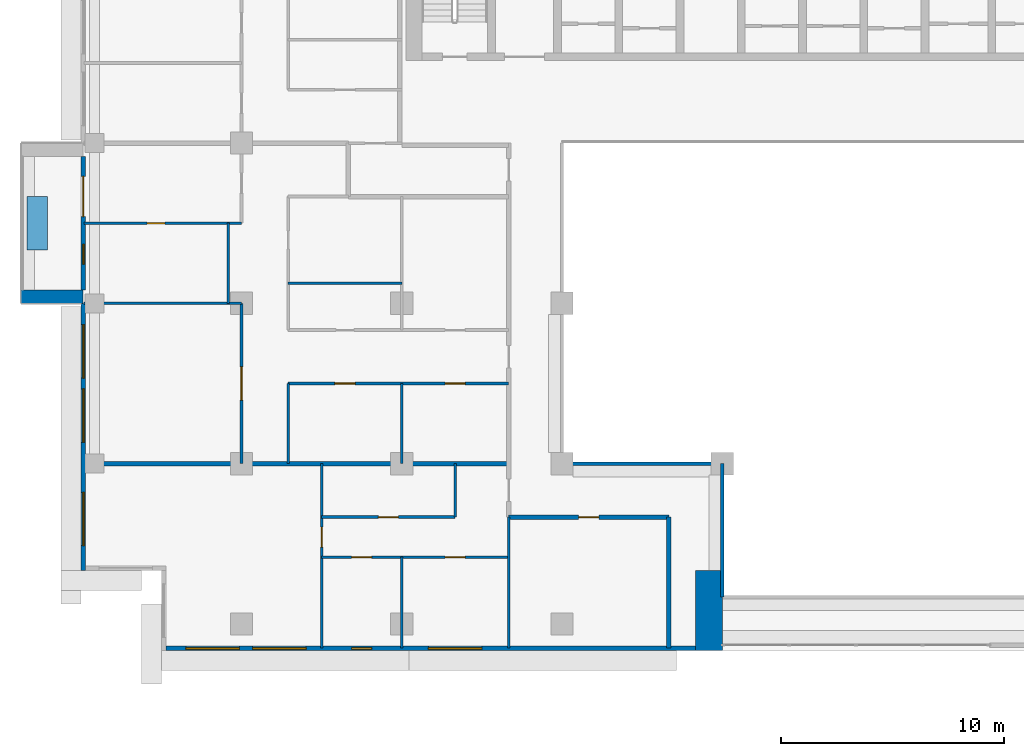
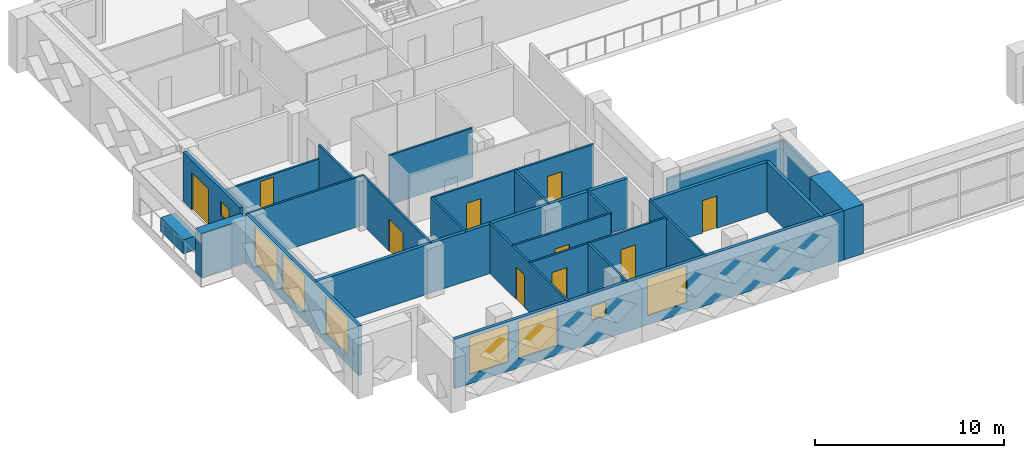
# One storey, part 6 of 20: 25 walls, 10 doors, 8 windows, 18 openings.
"""IFC4 building model written with IfcOpenShell, lengths in metres."""

from ifc_helpers import new_model, si_unit, direction, frame, frame_2d, origin, place, context, subcontext, project, spatial, rectangle, extrude, material, layer, layer_set, type_object, element, fill, save


model = new_model("IFC4")

# Units and contexts
model_context = context("Model", 3, precision=1e-05, world=origin(), true_north=direction((0.0, 1.0)))
body_context = subcontext(model_context, "Body", "Model", "MODEL_VIEW")
ifc_project = project(units=[si_unit("LENGTHUNIT", "METRE"), si_unit("AREAUNIT", "SQUARE_METRE"), si_unit("VOLUMEUNIT", "CUBIC_METRE"), si_unit("PLANEANGLEUNIT", "RADIAN"), si_unit("MASSUNIT", "GRAM", prefix="KILO")], contexts=[model_context])

# Site, building, storey
site_placement = place(None, origin())
site = spatial("IfcSite", under=ifc_project, at=site_placement, CompositionType="ELEMENT")
building_placement = place(site_placement, origin())
building = spatial("IfcBuilding", under=site, at=building_placement, Name="Saffron Iwan Residences", CompositionType="ELEMENT")
storey_placement = place(building_placement, frame((0.0, 0.0, 143.0)))
storey = spatial("IfcBuildingStorey", under=building, at=storey_placement, Name="L37", CompositionType="ELEMENT", Elevation=143.0)

# Walls
ifc_material_1 = material(Name="Fire-rated glazing", Category="glass")
ifc_layer_1 = layer(ifc_material_1, 0.14990234375)
ifc_layer_set_1 = layer_set([ifc_layer_1], Name="Fire-rated glazing")
wall_type_1 = type_object("IfcWallType", Name="Atrium glazed screen 150", PredefinedType="SOLIDWALL", material=ifc_layer_set_1)
wall_1_placement = place(storey_placement, frame((36.0, 48.0, 0.0), z_axis=(0.0, 0.0, 1.0), x_axis=(1.0, 0.0, 0.0)))
element("IfcWall", 1, at=wall_1_placement, inside=storey, type_object=wall_type_1, Name="W-L37-SCREEN-h48-36", PredefinedType="SOLIDWALL", context=body_context, shape_type="SweptSolid", body=[
    extrude(rectangle(XDim=7.199951171875, YDim=0.14990234375, at=frame_2d((3.60009765625, 0.0))), origin(), (0.0, 0.0, 1.0), 2.300048828125),
])
wall_2_placement = place(storey_placement, frame((43.199951171875, 42.0, 0.0), z_axis=(0.0, 0.0, 1.0), x_axis=(0.0, 1.0, 0.0)))
element("IfcWall", 2, at=wall_2_placement, inside=storey, type_object=wall_type_1, Name="W-L37-SCREEN-v43.2-42", PredefinedType="SOLIDWALL", context=body_context, shape_type="SweptSolid", body=[
    extrude(rectangle(XDim=6.0, YDim=0.14990234375, at=frame_2d((3.0, 0.0))), origin(), (0.0, 0.0, 1.0), 2.300048828125),
])
ifc_material_2 = material(Name="Concrete C50/60 white painted", Category="concrete")
ifc_layer_2 = layer(ifc_material_2, 0.60009765625)
ifc_layer_set_2 = layer_set([ifc_layer_2], Name="Concrete C50/60 white painted")
wall_type_2 = type_object("IfcWallType", Name="BALCONY FIN 600", PredefinedType="SOLIDWALL", material=ifc_layer_set_2)
wall_3_placement = place(storey_placement, frame((14.47509765625, 55.5, 0.0), z_axis=(0.0, 0.0, 1.0), x_axis=(-1.0, 0.0, 0.0)))
element("IfcWall", 3, at=wall_3_placement, inside=storey, type_object=wall_type_2, Name="Balcony fin L37 F8-0b", PredefinedType="SOLIDWALL", context=body_context, shape_type="SweptSolid", body=[
    extrude(rectangle(XDim=2.775146484375, YDim=0.60009765625, at=frame_2d((1.3876953125, 0.0))), origin(), (0.0, 0.0, 1.0), 2.85009765625),
])
ifc_material_3 = material(Name="Concrete C35/45 white painted", Category="concrete")
ifc_layer_3 = layer(ifc_material_3, 0.14990234375)
ifc_layer_set_3 = layer_set([ifc_layer_3], Name="Concrete C35/45 white painted")
wall_type_3 = type_object("IfcWallType", Name="BALCONY PLANTER", PredefinedType="SOLIDWALL", material=ifc_layer_set_3)
wall_4_placement = place(storey_placement, frame((12.425048828125, 60.0, 0.0), z_axis=(0.0, 0.0, 1.0), x_axis=(0.0, -1.0, 0.0)))
element("IfcWall", 4, at=wall_4_placement, inside=storey, type_object=wall_type_3, Name="PLANTER L37 F8-0", PredefinedType="SOLIDWALL", context=body_context, shape_type="SweptSolid", body=[
    extrude(rectangle(XDim=2.39990234375, YDim=0.89990234375, at=frame_2d((1.199951171875, 0.0))), origin(), (0.0, 0.0, 1.0), 0.89990234375),
])

# Wall, openings, door, window
ifc_material_4 = material(Name="Concrete C40/50", Category="concrete")
ifc_layer_4 = layer(ifc_material_4, 0.199951171875)
ifc_layer_set_4 = layer_set([ifc_layer_4], Name="Concrete C40/50")
wall_type_4 = type_object("IfcWallType", Name="EXTERNAL WALL 200", PredefinedType="SOLIDWALL", material=ifc_layer_set_4)
wall_5_placement = place(storey_placement, frame((14.5, 61.800048828125, 0.0), z_axis=(0.0, 0.0, 1.0), x_axis=(0.0, -1.0, 0.0)))
wall_5 = element("IfcWall", 5, at=wall_5_placement, inside=storey, type_object=wall_type_4, Name="External wall L37 F8.1", PredefinedType="SOLIDWALL", context=body_context, shape_type="SweptSolid", body=[
    extrude(rectangle(XDim=6.0, YDim=0.199951171875, at=frame_2d((3.0, 0.0))), origin(), (0.0, 0.0, 1.0), 3.199951171875),
])
opening_1_placement = place(wall_5_placement, frame((0.89990234375, 0.0, 0.0)))
opening_1 = element("IfcOpeningElement", 6, at=opening_1_placement, cuts=wall_5, Name="Opening BD1", PredefinedType="OPENING", context=body_context, shape_type="SweptSolid", body=[
    extrude(rectangle(XDim=1.800048828125, YDim=2.39990234375, at=frame_2d((0.89990234375, 1.199951171875))), frame((0.0, 0.10986328125, 0.0), z_axis=(0.0, -1.0, 0.0), x_axis=(1.0, 0.0, 0.0)), (0.0, 0.0, 1.0), 0.219970703125),
])
opening_2_placement = place(wall_5_placement, frame((3.949951171875, 0.0, 1.5)))
opening_2 = element("IfcOpeningElement", 7, at=opening_2_placement, cuts=wall_5, Name="Opening W6", PredefinedType="OPENING", context=body_context, shape_type="SweptSolid", body=[
    extrude(rectangle(XDim=0.89990234375, YDim=0.89990234375, at=frame_2d((0.449951171875, 0.449951171875))), frame((0.0, 0.10986328125, 0.0), z_axis=(0.0, -1.0, 0.0), x_axis=(1.0, 0.0, 0.0)), (0.0, 0.0, 1.0), 0.219970703125),
])
ifc_material_5 = material(Name="Clear glass, laminated double glazed", Category="glass")
door_type_1 = type_object("IfcDoorType", Name="BALCONY DOOR 1800 x 2400", OperationType="DOUBLE_DOOR_SLIDING", PredefinedType="DOOR", material=ifc_material_5)
door_1_placement = place(opening_1_placement, origin())
door_1 = element("IfcDoor", 8, at=door_1_placement, inside=storey, type_object=door_type_1, Name="Balcony door L37 F8.0", OperationType="DOUBLE_DOOR_SLIDING", OverallHeight=2.39990234375, OverallWidth=1.800048828125, PredefinedType="DOOR", context=body_context, shape_type="SweptSolid", body=[
    extrude(rectangle(XDim=1.800048828125, YDim=2.39990234375, at=frame_2d((0.89990234375, 1.199951171875))), frame((0.0, 0.02490234375, 0.0), z_axis=(0.0, -1.0, 0.0), x_axis=(1.0, 0.0, 0.0)), (0.0, 0.0, 1.0), 0.050048828125),
])
fill(opening_1, door_1)
window_type_1 = type_object("IfcWindowType", Name="WINDOW 900 x 900 BATH", PartitioningType="SINGLE_PANEL", PredefinedType="WINDOW", material=ifc_material_5)
window_1_placement = place(opening_2_placement, origin())
window_1 = element("IfcWindow", 9, at=window_1_placement, inside=storey, type_object=window_type_1, Name="Window L37 F8.1", OverallHeight=0.89990234375, OverallWidth=0.89990234375, PartitioningType="SINGLE_PANEL", PredefinedType="WINDOW", context=body_context, shape_type="SweptSolid", body=[
    extrude(rectangle(XDim=0.89990234375, YDim=0.89990234375, at=frame_2d((0.449951171875, 0.449951171875))), frame((0.0, 0.030029296875, 0.0), z_axis=(0.0, -1.0, 0.0), x_axis=(1.0, 0.0, 0.0)), (0.0, 0.0, 1.0), 0.06005859375),
])
fill(opening_2, window_1)

# Wall, openings, windows
wall_6_placement = place(storey_placement, frame((14.5, 55.199951171875, 0.0), z_axis=(0.0, 0.0, 1.0), x_axis=(0.0, -1.0, 0.0)))
wall_6 = element("IfcWall", 10, at=wall_6_placement, inside=storey, type_object=wall_type_4, Name="External wall L37 F8.2", PredefinedType="SOLIDWALL", context=body_context, shape_type="SweptSolid", body=[
    extrude(rectangle(XDim=12.0, YDim=0.199951171875, at=frame_2d((6.0, 0.0))), origin(), (0.0, 0.0, 1.0), 3.199951171875),
])
opening_3_placement = place(wall_6_placement, frame((8.487548828125, 0.0, 0.60009765625)))
opening_3 = element("IfcOpeningElement", 11, at=opening_3_placement, cuts=wall_6, Name="Opening W1", PredefinedType="OPENING", context=body_context, shape_type="SweptSolid", body=[
    extrude(rectangle(XDim=2.39990234375, YDim=2.39990234375, at=frame_2d((1.199951171875, 1.199951171875))), frame((0.0, 0.10986328125, 0.0), z_axis=(0.0, -1.0, 0.0), x_axis=(1.0, 0.0, 0.0)), (0.0, 0.0, 1.0), 0.219970703125),
])
opening_4_placement = place(wall_6_placement, frame((0.958251953125, 0.0, 0.60009765625)))
opening_4 = element("IfcOpeningElement", 12, at=opening_4_placement, cuts=wall_6, Name="Opening W1", PredefinedType="OPENING", context=body_context, shape_type="SweptSolid", body=[
    extrude(rectangle(XDim=2.39990234375, YDim=2.39990234375, at=frame_2d((1.199951171875, 1.199951171875))), frame((0.0, 0.10986328125, 0.0), z_axis=(0.0, -1.0, 0.0), x_axis=(1.0, 0.0, 0.0)), (0.0, 0.0, 1.0), 0.219970703125),
])
opening_5_placement = place(wall_6_placement, frame((3.841796875, 0.0, 0.60009765625)))
opening_5 = element("IfcOpeningElement", 13, at=opening_5_placement, cuts=wall_6, Name="Opening W1", PredefinedType="OPENING", context=body_context, shape_type="SweptSolid", body=[
    extrude(rectangle(XDim=2.39990234375, YDim=2.39990234375, at=frame_2d((1.199951171875, 1.199951171875))), frame((0.0, 0.10986328125, 0.0), z_axis=(0.0, -1.0, 0.0), x_axis=(1.0, 0.0, 0.0)), (0.0, 0.0, 1.0), 0.219970703125),
])
window_type_2 = type_object("IfcWindowType", Name="WINDOW 2400 x 2400", PartitioningType="DOUBLE_PANEL_VERTICAL", PredefinedType="WINDOW", material=ifc_material_5)
window_2_placement = place(opening_3_placement, origin())
window_2 = element("IfcWindow", 14, at=window_2_placement, inside=storey, type_object=window_type_2, Name="Window L37 F8.0", OverallHeight=2.39990234375, OverallWidth=2.39990234375, PartitioningType="DOUBLE_PANEL_VERTICAL", PredefinedType="WINDOW", context=body_context, shape_type="SweptSolid", body=[
    extrude(rectangle(XDim=2.39990234375, YDim=2.39990234375, at=frame_2d((1.199951171875, 1.199951171875))), frame((0.0, 0.030029296875, 0.0), z_axis=(0.0, -1.0, 0.0), x_axis=(1.0, 0.0, 0.0)), (0.0, 0.0, 1.0), 0.06005859375),
])
fill(opening_3, window_2)
window_3_placement = place(opening_4_placement, origin())
window_3 = element("IfcWindow", 15, at=window_3_placement, inside=storey, type_object=window_type_2, Name="Window L37 F8.1", OverallHeight=2.39990234375, OverallWidth=2.39990234375, PartitioningType="DOUBLE_PANEL_VERTICAL", PredefinedType="WINDOW", context=body_context, shape_type="SweptSolid", body=[
    extrude(rectangle(XDim=2.39990234375, YDim=2.39990234375, at=frame_2d((1.199951171875, 1.199951171875))), frame((0.0, 0.030029296875, 0.0), z_axis=(0.0, -1.0, 0.0), x_axis=(1.0, 0.0, 0.0)), (0.0, 0.0, 1.0), 0.06005859375),
])
fill(opening_4, window_3)
window_4_placement = place(opening_5_placement, origin())
window_4 = element("IfcWindow", 16, at=window_4_placement, inside=storey, type_object=window_type_2, Name="Window L37 F8.2", OverallHeight=2.39990234375, OverallWidth=2.39990234375, PartitioningType="DOUBLE_PANEL_VERTICAL", PredefinedType="WINDOW", context=body_context, shape_type="SweptSolid", body=[
    extrude(rectangle(XDim=2.39990234375, YDim=2.39990234375, at=frame_2d((1.199951171875, 1.199951171875))), frame((0.0, 0.030029296875, 0.0), z_axis=(0.0, -1.0, 0.0), x_axis=(1.0, 0.0, 0.0)), (0.0, 0.0, 1.0), 0.06005859375),
])
fill(opening_5, window_4)

wall_7_placement = place(storey_placement, frame((18.199951171875, 39.699951171875, 0.0), z_axis=(0.0, 0.0, 1.0), x_axis=(1.0, 0.0, 0.0)))
wall_7 = element("IfcWall", 17, at=wall_7_placement, inside=storey, type_object=wall_type_4, Name="External wall L37 F11.0", PredefinedType="SOLIDWALL", context=body_context, shape_type="SweptSolid", body=[
    extrude(rectangle(XDim=23.800048828125, YDim=0.199951171875, at=frame_2d((11.89990234375, 0.0))), origin(), (0.0, 0.0, 1.0), 3.199951171875),
])
opening_6_placement = place(wall_7_placement, frame((0.89990234375, 0.0, 0.60009765625)))
opening_6 = element("IfcOpeningElement", 18, at=opening_6_placement, cuts=wall_7, Name="Opening W1", PredefinedType="OPENING", context=body_context, shape_type="SweptSolid", body=[
    extrude(rectangle(XDim=2.39990234375, YDim=2.39990234375, at=frame_2d((1.199951171875, 1.199951171875))), frame((0.0, 0.10986328125, 0.0), z_axis=(0.0, -1.0, 0.0), x_axis=(1.0, 0.0, 0.0)), (0.0, 0.0, 1.0), 0.219970703125),
])
opening_7_placement = place(wall_7_placement, frame((3.89990234375, 0.0, 0.60009765625)))
opening_7 = element("IfcOpeningElement", 19, at=opening_7_placement, cuts=wall_7, Name="Opening W1", PredefinedType="OPENING", context=body_context, shape_type="SweptSolid", body=[
    extrude(rectangle(XDim=2.39990234375, YDim=2.39990234375, at=frame_2d((1.199951171875, 1.199951171875))), frame((0.0, 0.10986328125, 0.0), z_axis=(0.0, -1.0, 0.0), x_axis=(1.0, 0.0, 0.0)), (0.0, 0.0, 1.0), 0.219970703125),
])
opening_8_placement = place(wall_7_placement, frame((8.35009765625, 0.0, 1.5)))
opening_8 = element("IfcOpeningElement", 20, at=opening_8_placement, cuts=wall_7, Name="Opening W6", PredefinedType="OPENING", context=body_context, shape_type="SweptSolid", body=[
    extrude(rectangle(XDim=0.89990234375, YDim=0.89990234375, at=frame_2d((0.449951171875, 0.449951171875))), frame((0.0, 0.10986328125, 0.0), z_axis=(0.0, -1.0, 0.0), x_axis=(1.0, 0.0, 0.0)), (0.0, 0.0, 1.0), 0.219970703125),
])
opening_9_placement = place(wall_7_placement, frame((11.800048828125, 0.0, 0.60009765625)))
opening_9 = element("IfcOpeningElement", 21, at=opening_9_placement, cuts=wall_7, Name="Opening W1", PredefinedType="OPENING", context=body_context, shape_type="SweptSolid", body=[
    extrude(rectangle(XDim=2.39990234375, YDim=2.39990234375, at=frame_2d((1.199951171875, 1.199951171875))), frame((0.0, 0.10986328125, 0.0), z_axis=(0.0, -1.0, 0.0), x_axis=(1.0, 0.0, 0.0)), (0.0, 0.0, 1.0), 0.219970703125),
])
window_5_placement = place(opening_6_placement, origin())
window_5 = element("IfcWindow", 22, at=window_5_placement, inside=storey, type_object=window_type_2, Name="Window L37 F11.0", OverallHeight=2.39990234375, OverallWidth=2.39990234375, PartitioningType="DOUBLE_PANEL_VERTICAL", PredefinedType="WINDOW", context=body_context, shape_type="SweptSolid", body=[
    extrude(rectangle(XDim=2.39990234375, YDim=2.39990234375, at=frame_2d((1.199951171875, 1.199951171875))), frame((0.0, 0.030029296875, 0.0), z_axis=(0.0, -1.0, 0.0), x_axis=(1.0, 0.0, 0.0)), (0.0, 0.0, 1.0), 0.06005859375),
])
fill(opening_6, window_5)
window_6_placement = place(opening_7_placement, origin())
window_6 = element("IfcWindow", 23, at=window_6_placement, inside=storey, type_object=window_type_2, Name="Window L37 F11.1", OverallHeight=2.39990234375, OverallWidth=2.39990234375, PartitioningType="DOUBLE_PANEL_VERTICAL", PredefinedType="WINDOW", context=body_context, shape_type="SweptSolid", body=[
    extrude(rectangle(XDim=2.39990234375, YDim=2.39990234375, at=frame_2d((1.199951171875, 1.199951171875))), frame((0.0, 0.030029296875, 0.0), z_axis=(0.0, -1.0, 0.0), x_axis=(1.0, 0.0, 0.0)), (0.0, 0.0, 1.0), 0.06005859375),
])
fill(opening_7, window_6)
window_7_placement = place(opening_9_placement, origin())
window_7 = element("IfcWindow", 24, at=window_7_placement, inside=storey, type_object=window_type_2, Name="Window L37 F11.3", OverallHeight=2.39990234375, OverallWidth=2.39990234375, PartitioningType="DOUBLE_PANEL_VERTICAL", PredefinedType="WINDOW", context=body_context, shape_type="SweptSolid", body=[
    extrude(rectangle(XDim=2.39990234375, YDim=2.39990234375, at=frame_2d((1.199951171875, 1.199951171875))), frame((0.0, 0.030029296875, 0.0), z_axis=(0.0, -1.0, 0.0), x_axis=(1.0, 0.0, 0.0)), (0.0, 0.0, 1.0), 0.06005859375),
])
fill(opening_9, window_7)
window_8_placement = place(opening_8_placement, origin())
window_8 = element("IfcWindow", 25, at=window_8_placement, inside=storey, type_object=window_type_1, Name="Window L37 F11.2", OverallHeight=0.89990234375, OverallWidth=0.89990234375, PartitioningType="SINGLE_PANEL", PredefinedType="WINDOW", context=body_context, shape_type="SweptSolid", body=[
    extrude(rectangle(XDim=0.89990234375, YDim=0.89990234375, at=frame_2d((0.449951171875, 0.449951171875))), frame((0.0, 0.030029296875, 0.0), z_axis=(0.0, -1.0, 0.0), x_axis=(1.0, 0.0, 0.0)), (0.0, 0.0, 1.0), 0.06005859375),
])
fill(opening_8, window_8)

# Wall
ifc_material_6 = material(Name="Fire-rated gypsum board wall")
ifc_layer_5 = layer(ifc_material_6, 0.199951171875)
ifc_layer_set_5 = layer_set([ifc_layer_5], Name="Fire-rated gypsum board wall")
wall_type_5 = type_object("IfcWallType", Name="Flat demising wall 200", PredefinedType="SOLIDWALL", material=ifc_layer_set_5)
wall_8_placement = place(storey_placement, frame((14.52490234375, 48.0, 0.0), z_axis=(0.0, 0.0, 1.0), x_axis=(1.0, 0.0, 0.0)))
element("IfcWall", 26, at=wall_8_placement, inside=storey, type_object=wall_type_5, Name="W-L37-DEMISE-h48-14.525", PredefinedType="SOLIDWALL", context=body_context, shape_type="SweptSolid", body=[
    extrude(rectangle(XDim=19.0751953125, YDim=0.199951171875, at=frame_2d((9.53759765625, 0.0))), origin(), (0.0, 0.0, 1.0), 3.199951171875),
])

# Wall, openings, doors
ifc_material_7 = material(Name="Gypsum board partition")
ifc_layer_6 = layer(ifc_material_7, 0.1201171875)
ifc_layer_set_6 = layer_set([ifc_layer_6], Name="Gypsum board partition")
wall_type_6 = type_object("IfcWallType", Name="Flat partition 120", PredefinedType="PARTITIONING", material=ifc_layer_set_6)
wall_9_placement = place(storey_placement, frame((25.199951171875, 43.800048828125, 0.0), z_axis=(0.0, 0.0, 1.0), x_axis=(1.0, 0.0, 0.0)))
wall_9 = element("IfcWall", 27, at=wall_9_placement, inside=storey, type_object=wall_type_6, Name="W-L37-PART-h43.8-25.2", PredefinedType="PARTITIONING", context=body_context, shape_type="SweptSolid", body=[
    extrude(rectangle(XDim=8.400146484375, YDim=0.1201171875, at=frame_2d((4.2001953125, 0.0))), origin(), (0.0, 0.0, 1.0), 3.199951171875),
])
opening_10_placement = place(wall_9_placement, frame((1.35009765625, 0.0, 0.0)))
opening_10 = element("IfcOpeningElement", 28, at=opening_10_placement, cuts=wall_9, Name="Opening FD2", PredefinedType="OPENING", context=body_context, shape_type="SweptSolid", body=[
    extrude(rectangle(XDim=0.89990234375, YDim=2.10009765625, at=frame_2d((0.449951171875, 1.050048828125))), frame((0.0, 0.070068359375, 0.0), z_axis=(0.0, -1.0, 0.0), x_axis=(1.0, 0.0, 0.0)), (0.0, 0.0, 1.0), 0.14013671875),
])
opening_11_placement = place(wall_9_placement, frame((5.550048828125, 0.0, 0.0)))
opening_11 = element("IfcOpeningElement", 29, at=opening_11_placement, cuts=wall_9, Name="Opening FD2", PredefinedType="OPENING", context=body_context, shape_type="SweptSolid", body=[
    extrude(rectangle(XDim=0.89990234375, YDim=2.10009765625, at=frame_2d((0.449951171875, 1.050048828125))), frame((0.0, 0.070068359375, 0.0), z_axis=(0.0, -1.0, 0.0), x_axis=(1.0, 0.0, 0.0)), (0.0, 0.0, 1.0), 0.14013671875),
])
ifc_material_8 = material(Name="Timber door", Category="wood")
door_type_2 = type_object("IfcDoorType", Name="Flat door 900", OperationType="NOTDEFINED", PredefinedType="DOOR", material=ifc_material_8)
door_2_placement = place(opening_10_placement, origin())
door_2 = element("IfcDoor", 30, at=door_2_placement, inside=storey, type_object=door_type_2, Name="Door L37-003", OperationType="SINGLE_SWING_RIGHT", OverallHeight=2.10009765625, OverallWidth=0.89990234375, PredefinedType="DOOR", context=body_context, shape_type="SweptSolid", body=[
    extrude(rectangle(XDim=0.89990234375, YDim=2.10009765625, at=frame_2d((0.449951171875, 1.050048828125))), frame((0.0, 0.02490234375, 0.0), z_axis=(0.0, -1.0, 0.0), x_axis=(1.0, 0.0, 0.0)), (0.0, 0.0, 1.0), 0.050048828125),
])
fill(opening_10, door_2)
door_3_placement = place(opening_11_placement, origin())
door_3 = element("IfcDoor", 31, at=door_3_placement, inside=storey, type_object=door_type_2, Name="Door L37-004", OperationType="SINGLE_SWING_LEFT", OverallHeight=2.10009765625, OverallWidth=0.89990234375, PredefinedType="DOOR", context=body_context, shape_type="SweptSolid", body=[
    extrude(rectangle(XDim=0.89990234375, YDim=2.10009765625, at=frame_2d((0.449951171875, 1.050048828125))), frame((0.0, 0.02490234375, 0.0), z_axis=(0.0, -1.0, 0.0), x_axis=(1.0, 0.0, 0.0)), (0.0, 0.0, 1.0), 0.050048828125),
])
fill(opening_11, door_3)

# Wall, opening, door
wall_10_placement = place(storey_placement, frame((25.199951171875, 45.60009765625, 0.0), z_axis=(0.0, 0.0, 1.0), x_axis=(1.0, 0.0, 0.0)))
wall_10 = element("IfcWall", 32, at=wall_10_placement, inside=storey, type_object=wall_type_6, Name="W-L37-PART-h45.6-25.2", PredefinedType="PARTITIONING", context=body_context, shape_type="SweptSolid", body=[
    extrude(rectangle(XDim=6.0, YDim=0.1201171875, at=frame_2d((3.0, 0.0))), origin(), (0.0, 0.0, 1.0), 3.199951171875),
])
opening_12_placement = place(wall_10_placement, frame((2.550048828125, 0.0, 0.0)))
opening_12 = element("IfcOpeningElement", 33, at=opening_12_placement, cuts=wall_10, Name="Opening FD2", PredefinedType="OPENING", context=body_context, shape_type="SweptSolid", body=[
    extrude(rectangle(XDim=0.89990234375, YDim=2.10009765625, at=frame_2d((0.449951171875, 1.050048828125))), frame((0.0, 0.070068359375, 0.0), z_axis=(0.0, -1.0, 0.0), x_axis=(1.0, 0.0, 0.0)), (0.0, 0.0, 1.0), 0.14013671875),
])
door_4_placement = place(opening_12_placement, origin())
door_4 = element("IfcDoor", 34, at=door_4_placement, inside=storey, type_object=door_type_2, Name="Door L37-005", OperationType="SINGLE_SWING_LEFT", OverallHeight=2.10009765625, OverallWidth=0.89990234375, PredefinedType="DOOR", context=body_context, shape_type="SweptSolid", body=[
    extrude(rectangle(XDim=0.89990234375, YDim=2.10009765625, at=frame_2d((0.449951171875, 1.050048828125))), frame((0.0, 0.02490234375, 0.0), z_axis=(0.0, -1.0, 0.0), x_axis=(1.0, 0.0, 0.0)), (0.0, 0.0, 1.0), 0.050048828125),
])
fill(opening_12, door_4)

# Wall, openings, doors
wall_11_placement = place(storey_placement, frame((23.699951171875, 51.60009765625, 0.0), z_axis=(0.0, 0.0, 1.0), x_axis=(1.0, 0.0, 0.0)))
wall_11 = element("IfcWall", 35, at=wall_11_placement, inside=storey, type_object=wall_type_6, Name="W-L37-PART-h51.6-23.7", PredefinedType="PARTITIONING", context=body_context, shape_type="SweptSolid", body=[
    extrude(rectangle(XDim=9.900146484375, YDim=0.1201171875, at=frame_2d((4.9501953125, 0.0))), origin(), (0.0, 0.0, 1.0), 3.199951171875),
])
opening_13_placement = place(wall_11_placement, frame((2.10009765625, 0.0, 0.0)))
opening_13 = element("IfcOpeningElement", 36, at=opening_13_placement, cuts=wall_11, Name="Opening FD2", PredefinedType="OPENING", context=body_context, shape_type="SweptSolid", body=[
    extrude(rectangle(XDim=0.89990234375, YDim=2.10009765625, at=frame_2d((0.449951171875, 1.050048828125))), frame((0.0, 0.070068359375, 0.0), z_axis=(0.0, -1.0, 0.0), x_axis=(1.0, 0.0, 0.0)), (0.0, 0.0, 1.0), 0.14013671875),
])
opening_14_placement = place(wall_11_placement, frame((7.050048828125, 0.0, 0.0)))
opening_14 = element("IfcOpeningElement", 37, at=opening_14_placement, cuts=wall_11, Name="Opening FD2", PredefinedType="OPENING", context=body_context, shape_type="SweptSolid", body=[
    extrude(rectangle(XDim=0.89990234375, YDim=2.10009765625, at=frame_2d((0.449951171875, 1.050048828125))), frame((0.0, 0.070068359375, 0.0), z_axis=(0.0, -1.0, 0.0), x_axis=(1.0, 0.0, 0.0)), (0.0, 0.0, 1.0), 0.14013671875),
])
door_5_placement = place(opening_13_placement, origin())
door_5 = element("IfcDoor", 38, at=door_5_placement, inside=storey, type_object=door_type_2, Name="Door L37-011", OperationType="SINGLE_SWING_LEFT", OverallHeight=2.10009765625, OverallWidth=0.89990234375, PredefinedType="DOOR", context=body_context, shape_type="SweptSolid", body=[
    extrude(rectangle(XDim=0.89990234375, YDim=2.10009765625, at=frame_2d((0.449951171875, 1.050048828125))), frame((0.0, 0.02490234375, 0.0), z_axis=(0.0, -1.0, 0.0), x_axis=(1.0, 0.0, 0.0)), (0.0, 0.0, 1.0), 0.050048828125),
])
fill(opening_13, door_5)
door_6_placement = place(opening_14_placement, origin())
door_6 = element("IfcDoor", 39, at=door_6_placement, inside=storey, type_object=door_type_2, Name="Door L37-014", OperationType="SINGLE_SWING_LEFT", OverallHeight=2.10009765625, OverallWidth=0.89990234375, PredefinedType="DOOR", context=body_context, shape_type="SweptSolid", body=[
    extrude(rectangle(XDim=0.89990234375, YDim=2.10009765625, at=frame_2d((0.449951171875, 1.050048828125))), frame((0.0, 0.02490234375, 0.0), z_axis=(0.0, -1.0, 0.0), x_axis=(1.0, 0.0, 0.0)), (0.0, 0.0, 1.0), 0.050048828125),
])
fill(opening_14, door_6)

# Walls
wall_12_placement = place(storey_placement, frame((14.52490234375, 55.199951171875, 0.0), z_axis=(0.0, 0.0, 1.0), x_axis=(1.0, 0.0, 0.0)))
element("IfcWall", 40, at=wall_12_placement, inside=storey, type_object=wall_type_6, Name="W-L37-PART-h55.2-14.525", PredefinedType="PARTITIONING", context=body_context, shape_type="SweptSolid", body=[
    extrude(rectangle(XDim=7.0751953125, YDim=0.1201171875, at=frame_2d((3.53759765625, 0.0))), origin(), (0.0, 0.0, 1.0), 3.199951171875),
])
wall_13_placement = place(storey_placement, frame((23.699951171875, 56.10009765625, 0.0), z_axis=(0.0, 0.0, 1.0), x_axis=(1.0, 0.0, 0.0)))
element("IfcWall", 41, at=wall_13_placement, inside=storey, type_object=wall_type_6, Name="W-L37-PART-h56.1-23.7", PredefinedType="PARTITIONING", context=body_context, shape_type="SweptSolid", body=[
    extrude(rectangle(XDim=5.10009765625, YDim=0.1201171875, at=frame_2d((2.550048828125, 0.0))), origin(), (0.0, 0.0, 1.0), 3.199951171875),
])

# Wall, opening, door
wall_14_placement = place(storey_placement, frame((14.52490234375, 58.800048828125, 0.0), z_axis=(0.0, 0.0, 1.0), x_axis=(1.0, 0.0, 0.0)))
wall_14 = element("IfcWall", 42, at=wall_14_placement, inside=storey, type_object=wall_type_6, Name="W-L37-PART-h58.8-14.525", PredefinedType="PARTITIONING", context=body_context, shape_type="SweptSolid", body=[
    extrude(rectangle(XDim=7.0751953125, YDim=0.1201171875, at=frame_2d((3.53759765625, 0.0))), origin(), (0.0, 0.0, 1.0), 2.300048828125),
])
opening_15_placement = place(wall_14_placement, frame((2.83740234375, 0.0, 0.0)))
opening_15 = element("IfcOpeningElement", 43, at=opening_15_placement, cuts=wall_14, Name="Opening FD3", PredefinedType="OPENING", context=body_context, shape_type="SweptSolid", body=[
    extrude(rectangle(XDim=0.800048828125, YDim=2.10009765625, at=frame_2d((0.39990234375, 1.050048828125))), frame((0.0, 0.070068359375, 0.0), z_axis=(0.0, -1.0, 0.0), x_axis=(1.0, 0.0, 0.0)), (0.0, 0.0, 1.0), 0.14013671875),
])
door_type_3 = type_object("IfcDoorType", Name="Bathroom door 800", OperationType="NOTDEFINED", PredefinedType="DOOR", material=ifc_material_8)
door_7_placement = place(opening_15_placement, origin())
door_7 = element("IfcDoor", 44, at=door_7_placement, inside=storey, type_object=door_type_3, Name="Door L37-010", OperationType="SINGLE_SWING_LEFT", OverallHeight=2.10009765625, OverallWidth=0.800048828125, PredefinedType="DOOR", context=body_context, shape_type="SweptSolid", body=[
    extrude(rectangle(XDim=0.800048828125, YDim=2.10009765625, at=frame_2d((0.39990234375, 1.050048828125))), frame((0.0, 0.02490234375, 0.0), z_axis=(0.0, -1.0, 0.0), x_axis=(1.0, 0.0, 0.0)), (0.0, 0.0, 1.0), 0.050048828125),
])
fill(opening_15, door_7)

# Wall
wall_15_placement = place(storey_placement, frame((21.0, 55.199951171875, 0.0), z_axis=(0.0, 0.0, 1.0), x_axis=(0.0, 1.0, 0.0)))
element("IfcWall", 45, at=wall_15_placement, inside=storey, type_object=wall_type_6, Name="W-L37-PART-v21-55.2", PredefinedType="PARTITIONING", context=body_context, shape_type="SweptSolid", body=[
    extrude(rectangle(XDim=3.60009765625, YDim=0.1201171875, at=frame_2d((1.800048828125, 0.0))), origin(), (0.0, 0.0, 1.0), 3.199951171875),
])

# Wall, opening, door
wall_16_placement = place(storey_placement, frame((21.60009765625, 48.0, 0.0), z_axis=(0.0, 0.0, 1.0), x_axis=(0.0, 1.0, 0.0)))
wall_16 = element("IfcWall", 46, at=wall_16_placement, inside=storey, type_object=wall_type_6, Name="W-L37-PART-v21.6-48", PredefinedType="PARTITIONING", context=body_context, shape_type="SweptSolid", body=[
    extrude(rectangle(XDim=7.199951171875, YDim=0.1201171875, at=frame_2d((3.60009765625, 0.0))), origin(), (0.0, 0.0, 1.0), 3.199951171875),
])
opening_16_placement = place(wall_16_placement, frame((2.85009765625, 0.0, 0.0)))
opening_16 = element("IfcOpeningElement", 47, at=opening_16_placement, cuts=wall_16, Name="Opening FD4", PredefinedType="OPENING", context=body_context, shape_type="SweptSolid", body=[
    extrude(rectangle(XDim=1.5, YDim=2.10009765625, at=frame_2d((0.75, 1.050048828125))), frame((0.0, 0.070068359375, 0.0), z_axis=(0.0, -1.0, 0.0), x_axis=(1.0, 0.0, 0.0)), (0.0, 0.0, 1.0), 0.14013671875),
])
door_type_4 = type_object("IfcDoorType", Name="Double door 1500", OperationType="NOTDEFINED", PredefinedType="DOOR", material=ifc_material_8)
door_8_placement = place(opening_16_placement, origin())
door_8 = element("IfcDoor", 48, at=door_8_placement, inside=storey, type_object=door_type_4, Name="Door L37-008", OperationType="SINGLE_SWING_LEFT", OverallHeight=2.10009765625, OverallWidth=1.5, PredefinedType="DOOR", context=body_context, shape_type="SweptSolid", body=[
    extrude(rectangle(XDim=1.5, YDim=2.10009765625, at=frame_2d((0.75, 1.050048828125))), frame((0.0, 0.02490234375, 0.0), z_axis=(0.0, -1.0, 0.0), x_axis=(1.0, 0.0, 0.0)), (0.0, 0.0, 1.0), 0.050048828125),
])
fill(opening_16, door_8)

# Wall
wall_17_placement = place(storey_placement, frame((23.699951171875, 48.0, 0.0), z_axis=(0.0, 0.0, 1.0), x_axis=(0.0, 1.0, 0.0)))
element("IfcWall", 49, at=wall_17_placement, inside=storey, type_object=wall_type_6, Name="W-L37-PART-v23.7-48", PredefinedType="PARTITIONING", context=body_context, shape_type="SweptSolid", body=[
    extrude(rectangle(XDim=3.60009765625, YDim=0.1201171875, at=frame_2d((1.800048828125, 0.0))), origin(), (0.0, 0.0, 1.0), 3.199951171875),
])

# Wall, opening, door
wall_18_placement = place(storey_placement, frame((25.199951171875, 39.72509765625, 0.0), z_axis=(0.0, 0.0, 1.0), x_axis=(0.0, 1.0, 0.0)))
wall_18 = element("IfcWall", 50, at=wall_18_placement, inside=storey, type_object=wall_type_6, Name="W-L37-PART-v25.2-39.725", PredefinedType="PARTITIONING", context=body_context, shape_type="SweptSolid", body=[
    extrude(rectangle(XDim=8.27490234375, YDim=0.1201171875, at=frame_2d((4.137451171875, 0.0))), origin(), (0.0, 0.0, 1.0), 3.199951171875),
])
opening_17_placement = place(wall_18_placement, frame((4.52490234375, 0.0, 0.0)))
opening_17 = element("IfcOpeningElement", 51, at=opening_17_placement, cuts=wall_18, Name="Opening FD2", PredefinedType="OPENING", context=body_context, shape_type="SweptSolid", body=[
    extrude(rectangle(XDim=0.89990234375, YDim=2.10009765625, at=frame_2d((0.449951171875, 1.050048828125))), frame((0.0, 0.070068359375, 0.0), z_axis=(0.0, -1.0, 0.0), x_axis=(1.0, 0.0, 0.0)), (0.0, 0.0, 1.0), 0.14013671875),
])
door_9_placement = place(opening_17_placement, origin())
door_9 = element("IfcDoor", 52, at=door_9_placement, inside=storey, type_object=door_type_2, Name="Door L37-002", OperationType="SINGLE_SWING_LEFT", OverallHeight=2.10009765625, OverallWidth=0.89990234375, PredefinedType="DOOR", context=body_context, shape_type="SweptSolid", body=[
    extrude(rectangle(XDim=0.89990234375, YDim=2.10009765625, at=frame_2d((0.449951171875, 1.050048828125))), frame((0.0, 0.02490234375, 0.0), z_axis=(0.0, -1.0, 0.0), x_axis=(1.0, 0.0, 0.0)), (0.0, 0.0, 1.0), 0.050048828125),
])
fill(opening_17, door_9)

# Walls
wall_19_placement = place(storey_placement, frame((28.800048828125, 39.72509765625, 0.0), z_axis=(0.0, 0.0, 1.0), x_axis=(0.0, 1.0, 0.0)))
element("IfcWall", 53, at=wall_19_placement, inside=storey, type_object=wall_type_6, Name="W-L37-PART-v28.8-39.725", PredefinedType="PARTITIONING", context=body_context, shape_type="SweptSolid", body=[
    extrude(rectangle(XDim=4.074951171875, YDim=0.1201171875, at=frame_2d((2.03759765625, 0.0))), origin(), (0.0, 0.0, 1.0), 3.199951171875),
])
wall_20_placement = place(storey_placement, frame((28.800048828125, 48.0, 0.0), z_axis=(0.0, 0.0, 1.0), x_axis=(0.0, 1.0, 0.0)))
element("IfcWall", 54, at=wall_20_placement, inside=storey, type_object=wall_type_6, Name="W-L37-PART-v28.8-48", PredefinedType="PARTITIONING", context=body_context, shape_type="SweptSolid", body=[
    extrude(rectangle(XDim=3.60009765625, YDim=0.1201171875, at=frame_2d((1.800048828125, 0.0))), origin(), (0.0, 0.0, 1.0), 3.199951171875),
])
wall_21_placement = place(storey_placement, frame((31.199951171875, 45.60009765625, 0.0), z_axis=(0.0, 0.0, 1.0), x_axis=(0.0, 1.0, 0.0)))
element("IfcWall", 55, at=wall_21_placement, inside=storey, type_object=wall_type_6, Name="W-L37-PART-v31.2-45.6", PredefinedType="PARTITIONING", context=body_context, shape_type="SweptSolid", body=[
    extrude(rectangle(XDim=2.39990234375, YDim=0.1201171875, at=frame_2d((1.199951171875, 0.0))), origin(), (0.0, 0.0, 1.0), 3.199951171875),
])
wall_22_placement = place(storey_placement, frame((33.60009765625, 39.72509765625, 0.0), z_axis=(0.0, 0.0, 1.0), x_axis=(0.0, 1.0, 0.0)))
element("IfcWall", 56, at=wall_22_placement, inside=storey, type_object=wall_type_6, Name="W-L37-PART-v33.6-39.725", PredefinedType="PARTITIONING", context=body_context, shape_type="SweptSolid", body=[
    extrude(rectangle(XDim=5.875, YDim=0.1201171875, at=frame_2d((2.9375, 0.0))), origin(), (0.0, 0.0, 1.0), 3.199951171875),
])

# Wall, opening, door
ifc_layer_7 = layer(ifc_material_6, 0.199951171875)
ifc_layer_set_7 = layer_set([ifc_layer_7], Name="Fire-rated gypsum board wall")
wall_type_7 = type_object("IfcWallType", Name="Gallery wall 200", PredefinedType="SOLIDWALL", material=ifc_layer_set_7)
wall_23_placement = place(storey_placement, frame((33.60009765625, 45.60009765625, 0.0), z_axis=(0.0, 0.0, 1.0), x_axis=(1.0, 0.0, 0.0)))
wall_23 = element("IfcWall", 57, at=wall_23_placement, inside=storey, type_object=wall_type_7, Name="W-L37-CORR-h45.6-33.6", PredefinedType="SOLIDWALL", context=body_context, shape_type="SweptSolid", body=[
    extrude(rectangle(XDim=7.199951171875, YDim=0.199951171875, at=frame_2d((3.60009765625, 0.0))), origin(), (0.0, 0.0, 1.0), 3.199951171875),
])
opening_18_placement = place(wall_23_placement, frame((3.14990234375, 0.0, 0.0)))
opening_18 = element("IfcOpeningElement", 58, at=opening_18_placement, cuts=wall_23, Name="Opening FD2", PredefinedType="OPENING", context=body_context, shape_type="SweptSolid", body=[
    extrude(rectangle(XDim=0.89990234375, YDim=2.10009765625, at=frame_2d((0.449951171875, 1.050048828125))), frame((0.0, 0.10986328125, 0.0), z_axis=(0.0, -1.0, 0.0), x_axis=(1.0, 0.0, 0.0)), (0.0, 0.0, 1.0), 0.219970703125),
])
door_10_placement = place(opening_18_placement, origin())
door_10 = element("IfcDoor", 59, at=door_10_placement, inside=storey, type_object=door_type_2, Name="Door L37-006", OperationType="SINGLE_SWING_RIGHT", OverallHeight=2.10009765625, OverallWidth=0.89990234375, PredefinedType="DOOR", context=body_context, shape_type="SweptSolid", body=[
    extrude(rectangle(XDim=0.89990234375, YDim=2.10009765625, at=frame_2d((0.449951171875, 1.050048828125))), frame((0.0, 0.02490234375, 0.0), z_axis=(0.0, -1.0, 0.0), x_axis=(1.0, 0.0, 0.0)), (0.0, 0.0, 1.0), 0.050048828125),
])
fill(opening_18, door_10)

# Walls
wall_24_placement = place(storey_placement, frame((40.800048828125, 39.72509765625, 0.0), z_axis=(0.0, 0.0, 1.0), x_axis=(0.0, 1.0, 0.0)))
element("IfcWall", 60, at=wall_24_placement, inside=storey, type_object=wall_type_7, Name="W-L37-CORR-v40.8-39.725", PredefinedType="SOLIDWALL", context=body_context, shape_type="SweptSolid", body=[
    extrude(rectangle(XDim=5.875, YDim=0.199951171875, at=frame_2d((2.9375, 0.0))), origin(), (0.0, 0.0, 1.0), 3.199951171875),
])
ifc_material_9 = material(Name="Concrete C50/60", Category="concrete")
ifc_layer_8 = layer(ifc_material_9, 1.199951171875)
ifc_layer_set_8 = layer_set([ifc_layer_8], Name="Concrete C50/60")
wall_type_8 = type_object("IfcWallType", Name="WALL IWAN PIER 1200 C50/60 3200 HIGH", PredefinedType="SHEAR", material=ifc_layer_set_8)
wall_25_placement = place(storey_placement, frame((42.60009765625, 39.60009765625, 0.0), z_axis=(0.0, 0.0, 1.0), x_axis=(0.0, 1.0, 0.0)))
element("IfcWall", 61, at=wall_25_placement, inside=storey, type_object=wall_type_8, Name="IWAN PIER", PredefinedType="SHEAR", context=body_context, shape_type="SweptSolid", body=[
    extrude(rectangle(XDim=3.599853515625, YDim=1.199951171875, at=frame_2d((1.7998046875, 0.0))), origin(), (0.0, 0.0, 1.0), 3.199951171875),
])

save(model, "model.ifc")
